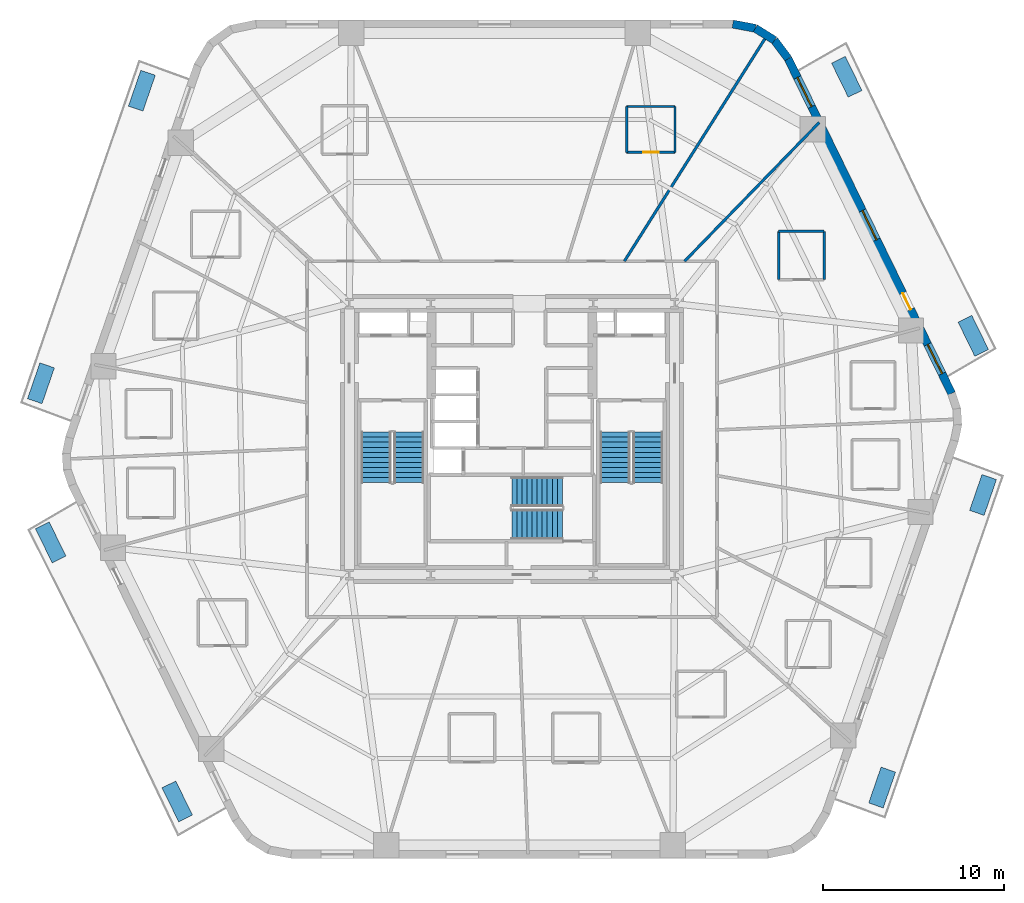
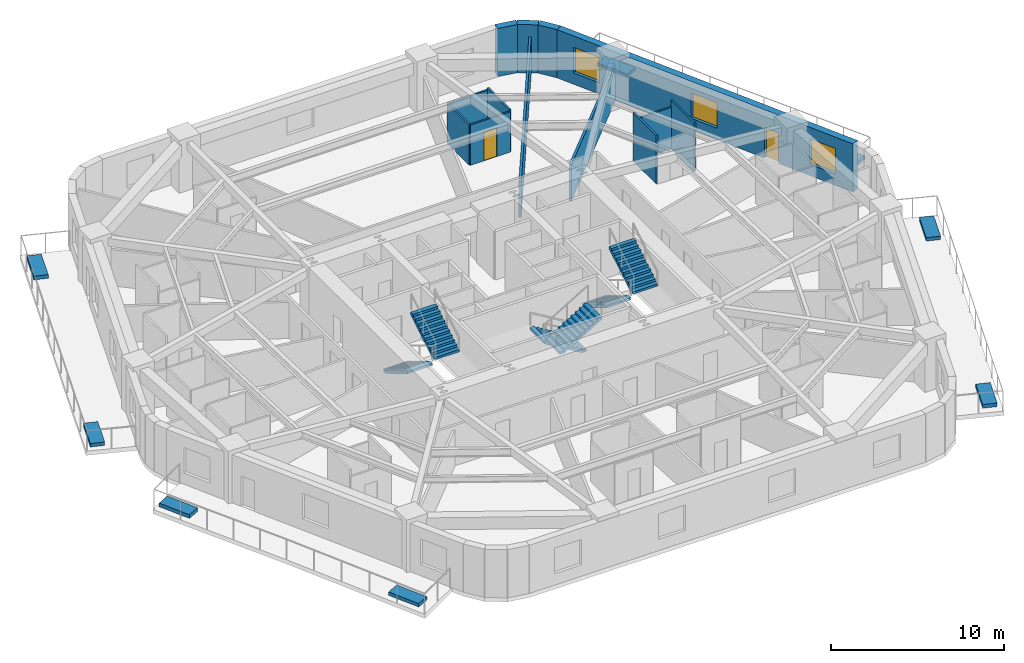
# One storey, part 7 of 10: 13 walls, 8 discrete accessories, 6 stair flights, 3 windows, 2 doors, 5 openings, 3 elements without a shape of their own.
"""IFC4 building model written with IfcOpenShell, lengths in metres."""

from ifc_helpers import new_model, si_unit, direction, frame, frame_2d, origin, origin_2d, place, context, subcontext, project, spatial, polyline, rectangle, outline, extrude, material, layer, layer_set, type_object, element, fill, aggregate, save


model = new_model("IFC4")

# Units and contexts
model_context = context("Model", 3, precision=1e-05, world=origin(), true_north=direction((0.0, 1.0)))
body_context = subcontext(model_context, "Body", "Model", "MODEL_VIEW")
ifc_project = project(units=[si_unit("LENGTHUNIT", "METRE"), si_unit("AREAUNIT", "SQUARE_METRE"), si_unit("VOLUMEUNIT", "CUBIC_METRE"), si_unit("PLANEANGLEUNIT", "RADIAN"), si_unit("MASSUNIT", "GRAM", prefix="KILO")], contexts=[model_context])

# Site, building, storey
site_placement = place(None, origin())
site = spatial("IfcSite", under=ifc_project, at=site_placement, CompositionType="ELEMENT")
building_placement = place(site_placement, origin())
building = spatial("IfcBuilding", under=site, at=building_placement, Name="Kilnhurst Terrace Hotel", CompositionType="ELEMENT")
storey_placement = place(building_placement, frame((0.0, 0.0, 45.300048828125)))
storey = spatial("IfcBuildingStorey", under=building, at=storey_placement, Name="L09", CompositionType="ELEMENT", Elevation=45.300048828125)

# Walls
ifc_material_1 = material(Name="Precast concrete C40/50", Category="concrete")
ifc_layer_1 = layer(ifc_material_1, 0.449951171875, Name="Precast concrete C40/50")
ifc_layer_set_1 = layer_set([ifc_layer_1], Name="Precast concrete C40/50")
wall_type_1 = type_object("IfcWallType", Name="WL-BRK-450", PredefinedType="SOLIDWALL", material=ifc_layer_set_1)
wall_1_placement = place(storey_placement, frame((15.28369140625, 21.0625, 0.0), z_axis=(0.0, 0.0, 1.0), x_axis=(-0.597595366449, 0.801797841104, 0.0)))
element("IfcWall", 1, at=wall_1_placement, inside=storey, type_object=wall_type_1, Name="L09 Rounded Corner Brick Wall C4.1", PredefinedType="SOLIDWALL", context=body_context, shape_type="SweptSolid", body=[
    extrude(rectangle(XDim=1.2685546875, YDim=0.449951171875, at=frame_2d((0.63427734375, 0.0))), origin(), (0.0, 0.0, 1.0), 3.39990234375),
])
wall_2_placement = place(storey_placement, frame((14.525634765625, 22.07958984375, 0.0), z_axis=(0.0, 0.0, 1.0), x_axis=(-0.848185203596, 0.529699783275, 0.0)))
element("IfcWall", 2, at=wall_2_placement, inside=storey, type_object=wall_type_1, Name="L09 Rounded Corner Brick Wall C4.2", PredefinedType="SOLIDWALL", context=body_context, shape_type="SweptSolid", body=[
    extrude(rectangle(XDim=1.247314453125, YDim=0.449951171875, at=frame_2d((0.62353515625, 0.0))), origin(), (0.0, 0.0, 1.0), 3.39990234375),
])
wall_3_placement = place(storey_placement, frame((13.4677734375, 22.740234375, 0.0), z_axis=(0.0, 0.0, 1.0), x_axis=(-0.982717174228, 0.185113358451, 0.0)))
element("IfcWall", 3, at=wall_3_placement, inside=storey, type_object=wall_type_1, Name="L09 Rounded Corner Brick Wall C4.3", PredefinedType="SOLIDWALL", context=body_context, shape_type="SweptSolid", body=[
    extrude(rectangle(XDim=1.268798828125, YDim=0.449951171875, at=frame_2d((0.63427734375, 0.0))), origin(), (0.0, 0.0, 1.0), 3.39990234375),
])

# Wall, openings, door, windows
wall_4_placement = place(storey_placement, frame((24.335693359375, 2.532470703125, 0.0), z_axis=(0.0, 0.0, 1.0), x_axis=(-0.438931326393, 0.898520612291, 0.0)))
wall_4 = element("IfcWall", 4, at=wall_4_placement, inside=storey, type_object=wall_type_1, Name="L09 Exterior Brick Facade Wall F3", PredefinedType="SOLIDWALL", context=body_context, shape_type="SweptSolid", body=[
    extrude(rectangle(XDim=20.622802734375, YDim=0.449951171875, at=frame_2d((10.3115234375, 0.0))), origin(), (0.0, 0.0, 1.0), 3.39990234375),
])
opening_1_placement = place(wall_4_placement, frame((5.1708984375, 0.0, 0.0)))
opening_1 = element("IfcOpeningElement", 5, at=opening_1_placement, cuts=wall_4, Name="Opening BD-1000", PredefinedType="OPENING", context=body_context, shape_type="SweptSolid", body=[
    extrude(rectangle(XDim=1.0, YDim=2.14990234375, at=frame_2d((0.5, 1.074951171875))), frame((0.0, 0.23486328125, 0.0), z_axis=(0.0, -1.0, 0.0), x_axis=(1.0, 0.0, 0.0)), (0.0, 0.0, 1.0), 0.469970703125),
])
opening_2_placement = place(wall_4_placement, frame((1.214111328125, 0.0, 0.800048828125)))
opening_2 = element("IfcOpeningElement", 6, at=opening_2_placement, cuts=wall_4, Name="Opening W-01", PredefinedType="OPENING", context=body_context, shape_type="SweptSolid", body=[
    extrude(rectangle(XDim=1.800048828125, YDim=1.800048828125, at=frame_2d((0.89990234375, 0.89990234375))), frame((0.0, 0.23486328125, 0.0), z_axis=(0.0, -1.0, 0.0), x_axis=(1.0, 0.0, 0.0)), (0.0, 0.0, 1.0), 0.469970703125),
])
opening_3_placement = place(wall_4_placement, frame((9.4619140625, 0.0, 0.800048828125)))
opening_3 = element("IfcOpeningElement", 7, at=opening_3_placement, cuts=wall_4, Name="Opening W-01", PredefinedType="OPENING", context=body_context, shape_type="SweptSolid", body=[
    extrude(rectangle(XDim=1.800048828125, YDim=1.800048828125, at=frame_2d((0.89990234375, 0.89990234375))), frame((0.0, 0.23486328125, 0.0), z_axis=(0.0, -1.0, 0.0), x_axis=(1.0, 0.0, 0.0)), (0.0, 0.0, 1.0), 0.469970703125),
])
opening_4_placement = place(wall_4_placement, frame((17.659912109375, 0.0, 0.800048828125)))
opening_4 = element("IfcOpeningElement", 8, at=opening_4_placement, cuts=wall_4, Name="Opening W-01", PredefinedType="OPENING", context=body_context, shape_type="SweptSolid", body=[
    extrude(rectangle(XDim=1.800048828125, YDim=1.800048828125, at=frame_2d((0.89990234375, 0.89990234375))), frame((0.0, 0.23486328125, 0.0), z_axis=(0.0, -1.0, 0.0), x_axis=(1.0, 0.0, 0.0)), (0.0, 0.0, 1.0), 0.469970703125),
])
ifc_material_2 = material(Name="Thermally Broken Bronze Aluminium Alloy 6063-T6 and Laminated Glass", Category="aluminium")
door_type_1 = type_object("IfcDoorType", Name="DR-EXT-BAL-1000", OperationType="NOTDEFINED", PredefinedType="DOOR", material=ifc_material_2)
door_1_placement = place(opening_1_placement, origin())
door_1 = element("IfcDoor", 9, at=door_1_placement, inside=storey, type_object=door_type_1, Name="L09 Planted Balcony Door BAL-L1B", OperationType="SINGLE_SWING_LEFT", OverallHeight=2.14990234375, OverallWidth=1.0, PredefinedType="DOOR", context=body_context, shape_type="SweptSolid", body=[
    extrude(rectangle(XDim=1.0, YDim=2.14990234375, at=frame_2d((0.5, 1.074951171875))), frame((0.0, 0.02490234375, 0.0), z_axis=(0.0, -1.0, 0.0), x_axis=(1.0, 0.0, 0.0)), (0.0, 0.0, 1.0), 0.050048828125),
])
fill(opening_1, door_1)
ifc_material_3 = material(Name="Thermally Broken Bronze Aluminium Alloy 6063-T6 and Low-E Glass", Category="aluminium")
window_type = type_object("IfcWindowType", Name="WIN-1800X1800", PartitioningType="SINGLE_PANEL", PredefinedType="WINDOW", material=ifc_material_3)
window_1_placement = place(opening_2_placement, origin())
window_1 = element("IfcWindow", 10, at=window_1_placement, inside=storey, type_object=window_type, Name="L09 Deep-Set Masonry Window F3.1", OverallHeight=1.800048828125, OverallWidth=1.800048828125, PartitioningType="SINGLE_PANEL", PredefinedType="WINDOW", context=body_context, shape_type="SweptSolid", body=[
    extrude(rectangle(XDim=1.800048828125, YDim=1.800048828125, at=frame_2d((0.89990234375, 0.89990234375))), frame((0.0, 0.030029296875, 0.0), z_axis=(0.0, -1.0, 0.0), x_axis=(1.0, 0.0, 0.0)), (0.0, 0.0, 1.0), 0.06005859375),
])
fill(opening_2, window_1)
window_2_placement = place(opening_3_placement, origin())
window_2 = element("IfcWindow", 11, at=window_2_placement, inside=storey, type_object=window_type, Name="L09 Deep-Set Masonry Window F3.2", OverallHeight=1.800048828125, OverallWidth=1.800048828125, PartitioningType="SINGLE_PANEL", PredefinedType="WINDOW", context=body_context, shape_type="SweptSolid", body=[
    extrude(rectangle(XDim=1.800048828125, YDim=1.800048828125, at=frame_2d((0.89990234375, 0.89990234375))), frame((0.0, 0.030029296875, 0.0), z_axis=(0.0, -1.0, 0.0), x_axis=(1.0, 0.0, 0.0)), (0.0, 0.0, 1.0), 0.06005859375),
])
fill(opening_3, window_2)
window_3_placement = place(opening_4_placement, origin())
window_3 = element("IfcWindow", 12, at=window_3_placement, inside=storey, type_object=window_type, Name="L09 Deep-Set Masonry Window F3.3", OverallHeight=1.800048828125, OverallWidth=1.800048828125, PartitioningType="SINGLE_PANEL", PredefinedType="WINDOW", context=body_context, shape_type="SweptSolid", body=[
    extrude(rectangle(XDim=1.800048828125, YDim=1.800048828125, at=frame_2d((0.89990234375, 0.89990234375))), frame((0.0, 0.030029296875, 0.0), z_axis=(0.0, -1.0, 0.0), x_axis=(1.0, 0.0, 0.0)), (0.0, 0.0, 1.0), 0.06005859375),
])
fill(opening_4, window_3)

# Walls
ifc_material_4 = material(Name="STC-58 Acoustic Twin-Frame Guestroom Demising Partition")
ifc_layer_2 = layer(ifc_material_4, 0.14990234375, Name="STC-58 Acoustic Twin-Frame Guestroom Demising Partition")
ifc_layer_set_2 = layer_set([ifc_layer_2], Name="STC-58 Acoustic Twin-Frame Guestroom Demising Partition")
wall_type_2 = type_object("IfcWallType", Name="WL-DEM-150", PredefinedType="PARTITIONING", material=ifc_layer_set_2)
wall_5_placement = place(storey_placement, frame((9.5576171875, 9.85009765625, 0.0), z_axis=(0.0, 0.0, 1.0), x_axis=(0.69638346089, 0.717669893056, 0.0)))
element("IfcWall", 13, at=wall_5_placement, inside=storey, type_object=wall_type_2, Name="L09 Interior Wall WL-L09-DEM-COL02-03-1", PredefinedType="PARTITIONING", context=body_context, shape_type="SweptSolid", body=[
    extrude(rectangle(XDim=10.700927734375, YDim=0.14990234375, at=frame_2d((5.3505859375, 0.0))), origin(), (0.0, 0.0, 1.0), 2.5400390625),
])
wall_6_placement = place(storey_placement, frame((6.222412109375, 9.85009765625, 0.0), z_axis=(0.0, 0.0, 1.0), x_axis=(0.534069056435, 0.845440857162, 0.0)))
element("IfcWall", 14, at=wall_6_placement, inside=storey, type_object=wall_type_2, Name="L09 Interior Wall WL-L09-DEM-MID02-04-1", PredefinedType="PARTITIONING", context=body_context, shape_type="SweptSolid", body=[
    extrude(rectangle(XDim=14.611328125, YDim=0.14990234375, at=frame_2d((7.3056640625, 0.0))), origin(), (0.0, 0.0, 1.0), 2.5400390625),
])
ifc_material_5 = material(Name="120 mm Moisture-Resistant Tile-Backed Bathroom Partition")
ifc_layer_3 = layer(ifc_material_5, 0.1201171875, Name="120 mm Moisture-Resistant Tile-Backed Bathroom Partition")
ifc_layer_set_3 = layer_set([ifc_layer_3], Name="120 mm Moisture-Resistant Tile-Backed Bathroom Partition")
wall_type_3 = type_object("IfcWallType", Name="WL-PART-120", PredefinedType="PARTITIONING", material=ifc_layer_set_3)
wall_7_placement = place(storey_placement, frame((17.283935546875, 8.824951171875, 0.0), z_axis=(0.0, 0.0, 1.0), x_axis=(0.0, 1.0, 0.0)))
element("IfcWall", 15, at=wall_7_placement, inside=storey, type_object=wall_type_3, Name="L09 Interior Wall WL-L09-BTH-02-2", PredefinedType="PARTITIONING", context=body_context, shape_type="SweptSolid", body=[
    extrude(rectangle(XDim=2.679931640625, YDim=0.1201171875, at=frame_2d((1.33984375, 0.0))), origin(), (0.0, 0.0, 1.0), 3.39990234375),
])
wall_8_placement = place(storey_placement, frame((17.283935546875, 11.5048828125, 0.0), z_axis=(0.0, 0.0, 1.0), x_axis=(-1.0, 0.0, 0.0)))
element("IfcWall", 16, at=wall_8_placement, inside=storey, type_object=wall_type_3, Name="L09 Interior Wall WL-L09-BTH-02-3", PredefinedType="PARTITIONING", context=body_context, shape_type="SweptSolid", body=[
    extrude(rectangle(XDim=2.52001953125, YDim=0.1201171875, at=frame_2d((1.260009765625, 0.0))), origin(), (0.0, 0.0, 1.0), 2.926513671875),
])
wall_9_placement = place(storey_placement, frame((14.763916015625, 11.5048828125, 0.0), z_axis=(0.0, 0.0, 1.0), x_axis=(0.0, -1.0, 0.0)))
element("IfcWall", 17, at=wall_9_placement, inside=storey, type_object=wall_type_3, Name="L09 Interior Wall WL-L09-BTH-02-4", PredefinedType="PARTITIONING", context=body_context, shape_type="SweptSolid", body=[
    extrude(rectangle(XDim=2.679931640625, YDim=0.1201171875, at=frame_2d((1.33984375, 0.0))), origin(), (0.0, 0.0, 1.0), 3.39990234375),
])

# Wall, opening, door
wall_10_placement = place(storey_placement, frame((6.35107421875, 15.876953125, 0.0), z_axis=(0.0, 0.0, 1.0), x_axis=(1.0, 0.0, 0.0)))
wall_10 = element("IfcWall", 18, at=wall_10_placement, inside=storey, type_object=wall_type_3, Name="L09 Interior Wall WL-L09-BTH-04-1", PredefinedType="PARTITIONING", context=body_context, shape_type="SweptSolid", body=[
    extrude(rectangle(XDim=2.679931640625, YDim=0.1201171875, at=frame_2d((1.33984375, 0.0))), origin(), (0.0, 0.0, 1.0), 2.83984375),
])
opening_5_placement = place(wall_10_placement, frame((0.9150390625, 0.0, 0.0)))
opening_5 = element("IfcOpeningElement", 19, at=opening_5_placement, cuts=wall_10, Name="Opening D-08A", PredefinedType="OPENING", context=body_context, shape_type="SweptSolid", body=[
    extrude(rectangle(XDim=0.85009765625, YDim=2.030029296875, at=frame_2d((0.425048828125, 1.01513671875))), frame((0.0, 0.070068359375, 0.0), z_axis=(0.0, -1.0, 0.0), x_axis=(1.0, 0.0, 0.0)), (0.0, 0.0, 1.0), 0.14013671875),
])
ifc_material_6 = material(Name="Moisture-Resistant Lacquered En-suite Bathroom Door")
door_type_2 = type_object("IfcDoorType", Name="DR-INT-850", OperationType="NOTDEFINED", PredefinedType="DOOR", material=ifc_material_6)
door_2_placement = place(opening_5_placement, origin())
door_2 = element("IfcDoor", 20, at=door_2_placement, inside=storey, type_object=door_type_2, Name="L09 En-suite Bathroom Door 4", OperationType="SINGLE_SWING_LEFT", OverallHeight=2.030029296875, OverallWidth=0.85009765625, PredefinedType="DOOR", context=body_context, shape_type="SweptSolid", body=[
    extrude(rectangle(XDim=0.85009765625, YDim=2.030029296875, at=frame_2d((0.425048828125, 1.01513671875))), frame((0.0, 0.02490234375, 0.0), z_axis=(0.0, -1.0, 0.0), x_axis=(1.0, 0.0, 0.0)), (0.0, 0.0, 1.0), 0.050048828125),
])
fill(opening_5, door_2)

# Walls
wall_11_placement = place(storey_placement, frame((9.031005859375, 15.876953125, 0.0), z_axis=(0.0, 0.0, 1.0), x_axis=(0.0, 1.0, 0.0)))
element("IfcWall", 21, at=wall_11_placement, inside=storey, type_object=wall_type_3, Name="L09 Interior Wall WL-L09-BTH-04-2", PredefinedType="PARTITIONING", context=body_context, shape_type="SweptSolid", body=[
    extrude(rectangle(XDim=2.5400390625, YDim=0.1201171875, at=frame_2d((1.27001953125, 0.0))), origin(), (0.0, 0.0, 1.0), 2.972412109375),
])
wall_12_placement = place(storey_placement, frame((9.031005859375, 18.4169921875, 0.0), z_axis=(0.0, 0.0, 1.0), x_axis=(-1.0, 0.0, 0.0)))
element("IfcWall", 22, at=wall_12_placement, inside=storey, type_object=wall_type_3, Name="L09 Interior Wall WL-L09-BTH-04-3", PredefinedType="PARTITIONING", context=body_context, shape_type="SweptSolid", body=[
    extrude(rectangle(XDim=2.679931640625, YDim=0.1201171875, at=frame_2d((1.33984375, 0.0))), origin(), (0.0, 0.0, 1.0), 2.83984375),
])
wall_13_placement = place(storey_placement, frame((6.35107421875, 18.4169921875, 0.0), z_axis=(0.0, 0.0, 1.0), x_axis=(0.0, -1.0, 0.0)))
element("IfcWall", 23, at=wall_13_placement, inside=storey, type_object=wall_type_3, Name="L09 Interior Wall WL-L09-BTH-04-4", PredefinedType="PARTITIONING", context=body_context, shape_type="SweptSolid", body=[
    extrude(rectangle(XDim=2.5400390625, YDim=0.1201171875, at=frame_2d((1.27001953125, 0.0))), origin(), (0.0, 0.0, 1.0), 2.84033203125),
])

# Stair, stair flights
ifc_material_7 = material(Name="Concrete C50/60", Category="concrete")
stair_type = type_object("IfcStairType", Name="STR-CORE-1660", PredefinedType="HALF_TURN_STAIR", material=ifc_material_7)
stair_1_placement = place(storey_placement, origin())
stair_1 = element("IfcStair", 24, at=stair_1_placement, inside=storey, type_object=stair_type, Name="L09 ST-1", PredefinedType="HALF_TURN_STAIR")
stair_flight_type = type_object("IfcStairFlightType", Name="FLT-RC-1660", PredefinedType="STRAIGHT", material=ifc_material_7)
stair_flight_1_placement = place(storey_placement, frame((-7.52001953125, 0.389892578125, 0.0), z_axis=(0.0, 0.0, 1.0), x_axis=(0.0, -1.0, 0.0)))
stair_flight_1 = element("IfcStairFlight", 25, at=stair_flight_1_placement, type_object=stair_flight_type, Name="ST-1 flight 1", NumberOfRisers=11, NumberOfTreads=10, PredefinedType="STRAIGHT", RiserHeight=0.168181818, TreadLength=0.28, context=body_context, shape_type="SweptSolid", body=[
    extrude(outline(polyline([(0.0, 0.0), (0.0, 0.168212890625), (0.280029296875, 0.168212890625), (0.280029296875, 0.33642578125), (0.56005859375, 0.33642578125), (0.56005859375, 0.504638671875), (0.840087890625, 0.504638671875), (0.840087890625, 0.672607421875), (1.1201171875, 0.672607421875), (1.1201171875, 0.8408203125), (1.39990234375, 0.8408203125), (1.39990234375, 1.009033203125), (1.679931640625, 1.009033203125), (1.679931640625, 1.17724609375), (1.9599609375, 1.17724609375), (1.9599609375, 1.345458984375), (2.239990234375, 1.345458984375), (2.239990234375, 1.513671875), (2.52001953125, 1.513671875), (2.52001953125, 1.681884765625), (2.800048828125, 1.681884765625), (2.800048828125, 1.85009765625), (2.800048828125, 1.5068359375), (0.291015625, 0.0), (0.0, 0.0)])), frame((0.0, 0.830078125, 0.0), z_axis=(0.0, -1.0, 0.0), x_axis=(1.0, 0.0, 0.0)), (0.0, 0.0, 1.0), 1.659912109375),
])
stair_flight_2_placement = place(storey_placement, frame((-5.7099609375, -2.409912109375, 1.849853515625), z_axis=(0.0, 0.0, 1.0), x_axis=(0.0, 1.0, 0.0)))
stair_flight_2 = element("IfcStairFlight", 26, at=stair_flight_2_placement, type_object=stair_flight_type, Name="ST-1 flight 2", NumberOfRisers=11, NumberOfTreads=10, PredefinedType="STRAIGHT", RiserHeight=0.168181818, TreadLength=0.28, context=body_context, shape_type="SweptSolid", body=[
    extrude(outline(polyline([(0.0, 0.0), (0.0, 0.168212890625), (0.280029296875, 0.168212890625), (0.280029296875, 0.33642578125), (0.56005859375, 0.33642578125), (0.56005859375, 0.504638671875), (0.840087890625, 0.504638671875), (0.840087890625, 0.672607421875), (1.1201171875, 0.672607421875), (1.1201171875, 0.8408203125), (1.39990234375, 0.8408203125), (1.39990234375, 1.009033203125), (1.679931640625, 1.009033203125), (1.679931640625, 1.17724609375), (1.9599609375, 1.17724609375), (1.9599609375, 1.345458984375), (2.239990234375, 1.345458984375), (2.239990234375, 1.513671875), (2.52001953125, 1.513671875), (2.52001953125, 1.681884765625), (2.800048828125, 1.681884765625), (2.800048828125, 1.85009765625), (2.800048828125, 1.5068359375), (0.291015625, 0.0), (0.0, 0.0)])), frame((0.0, 0.830078125, 0.0), z_axis=(0.0, -1.0, 0.0), x_axis=(1.0, 0.0, 0.0)), (0.0, 0.0, 1.0), 1.659912109375),
])
aggregate(stair_1, [stair_flight_1, stair_flight_2])

stair_2_placement = place(storey_placement, origin())
stair_2 = element("IfcStair", 27, at=stair_2_placement, inside=storey, type_object=stair_type, Name="L09 ST-2", PredefinedType="HALF_TURN_STAIR")
stair_flight_3_placement = place(storey_placement, frame((5.7099609375, 0.389892578125, 0.0), z_axis=(0.0, 0.0, 1.0), x_axis=(0.0, -1.0, 0.0)))
stair_flight_3 = element("IfcStairFlight", 28, at=stair_flight_3_placement, type_object=stair_flight_type, Name="ST-2 flight 1", NumberOfRisers=11, NumberOfTreads=10, PredefinedType="STRAIGHT", RiserHeight=0.168181818, TreadLength=0.28, context=body_context, shape_type="SweptSolid", body=[
    extrude(outline(polyline([(0.0, 0.0), (0.0, 0.168212890625), (0.280029296875, 0.168212890625), (0.280029296875, 0.33642578125), (0.56005859375, 0.33642578125), (0.56005859375, 0.504638671875), (0.840087890625, 0.504638671875), (0.840087890625, 0.672607421875), (1.1201171875, 0.672607421875), (1.1201171875, 0.8408203125), (1.39990234375, 0.8408203125), (1.39990234375, 1.009033203125), (1.679931640625, 1.009033203125), (1.679931640625, 1.17724609375), (1.9599609375, 1.17724609375), (1.9599609375, 1.345458984375), (2.239990234375, 1.345458984375), (2.239990234375, 1.513671875), (2.52001953125, 1.513671875), (2.52001953125, 1.681884765625), (2.800048828125, 1.681884765625), (2.800048828125, 1.85009765625), (2.800048828125, 1.5068359375), (0.291015625, 0.0), (0.0, 0.0)])), frame((0.0, 0.830078125, 0.0), z_axis=(0.0, -1.0, 0.0), x_axis=(1.0, 0.0, 0.0)), (0.0, 0.0, 1.0), 1.659912109375),
])
stair_flight_4_placement = place(storey_placement, frame((7.52001953125, -2.409912109375, 1.849853515625), z_axis=(0.0, 0.0, 1.0), x_axis=(0.0, 1.0, 0.0)))
stair_flight_4 = element("IfcStairFlight", 29, at=stair_flight_4_placement, type_object=stair_flight_type, Name="ST-2 flight 2", NumberOfRisers=11, NumberOfTreads=10, PredefinedType="STRAIGHT", RiserHeight=0.168181818, TreadLength=0.28, context=body_context, shape_type="SweptSolid", body=[
    extrude(outline(polyline([(0.0, 0.0), (0.0, 0.168212890625), (0.280029296875, 0.168212890625), (0.280029296875, 0.33642578125), (0.56005859375, 0.33642578125), (0.56005859375, 0.504638671875), (0.840087890625, 0.504638671875), (0.840087890625, 0.672607421875), (1.1201171875, 0.672607421875), (1.1201171875, 0.8408203125), (1.39990234375, 0.8408203125), (1.39990234375, 1.009033203125), (1.679931640625, 1.009033203125), (1.679931640625, 1.17724609375), (1.9599609375, 1.17724609375), (1.9599609375, 1.345458984375), (2.239990234375, 1.345458984375), (2.239990234375, 1.513671875), (2.52001953125, 1.513671875), (2.52001953125, 1.681884765625), (2.800048828125, 1.681884765625), (2.800048828125, 1.85009765625), (2.800048828125, 1.5068359375), (0.291015625, 0.0), (0.0, 0.0)])), frame((0.0, 0.830078125, 0.0), z_axis=(0.0, -1.0, 0.0), x_axis=(1.0, 0.0, 0.0)), (0.0, 0.0, 1.0), 1.659912109375),
])
aggregate(stair_2, [stair_flight_3, stair_flight_4])

stair_3_placement = place(storey_placement, origin())
stair_3 = element("IfcStair", 30, at=stair_3_placement, inside=storey, type_object=stair_type, Name="L09 ST-3", PredefinedType="HALF_TURN_STAIR")
stair_flight_5_placement = place(storey_placement, frame((2.7900390625, -2.909912109375, 0.0), z_axis=(0.0, 0.0, 1.0), x_axis=(-1.0, 0.0, 0.0)))
stair_flight_5 = element("IfcStairFlight", 31, at=stair_flight_5_placement, type_object=stair_flight_type, Name="ST-3 flight 1", NumberOfRisers=11, NumberOfTreads=10, PredefinedType="STRAIGHT", RiserHeight=0.168181818, TreadLength=0.28, context=body_context, shape_type="SweptSolid", body=[
    extrude(outline(polyline([(0.0, 0.0), (0.0, 0.168212890625), (0.280029296875, 0.168212890625), (0.280029296875, 0.33642578125), (0.56005859375, 0.33642578125), (0.56005859375, 0.504638671875), (0.840087890625, 0.504638671875), (0.840087890625, 0.672607421875), (1.1201171875, 0.672607421875), (1.1201171875, 0.8408203125), (1.39990234375, 0.8408203125), (1.39990234375, 1.009033203125), (1.679931640625, 1.009033203125), (1.679931640625, 1.17724609375), (1.9599609375, 1.17724609375), (1.9599609375, 1.345458984375), (2.239990234375, 1.345458984375), (2.239990234375, 1.513671875), (2.52001953125, 1.513671875), (2.52001953125, 1.681884765625), (2.800048828125, 1.681884765625), (2.800048828125, 1.85009765625), (2.800048828125, 1.5068359375), (0.291015625, 0.0), (0.0, 0.0)])), frame((0.0, 0.830078125, 0.0), z_axis=(0.0, -1.0, 0.0), x_axis=(1.0, 0.0, 0.0)), (0.0, 0.0, 1.0), 1.659912109375),
])
stair_flight_6_placement = place(storey_placement, frame((-0.010009765625, -4.719970703125, 1.849853515625), z_axis=(0.0, 0.0, 1.0), x_axis=(1.0, 0.0, 0.0)))
stair_flight_6 = element("IfcStairFlight", 32, at=stair_flight_6_placement, type_object=stair_flight_type, Name="ST-3 flight 2", NumberOfRisers=11, NumberOfTreads=10, PredefinedType="STRAIGHT", RiserHeight=0.168181818, TreadLength=0.28, context=body_context, shape_type="SweptSolid", body=[
    extrude(outline(polyline([(0.0, 0.0), (0.0, 0.168212890625), (0.280029296875, 0.168212890625), (0.280029296875, 0.33642578125), (0.56005859375, 0.33642578125), (0.56005859375, 0.504638671875), (0.840087890625, 0.504638671875), (0.840087890625, 0.672607421875), (1.1201171875, 0.672607421875), (1.1201171875, 0.8408203125), (1.39990234375, 0.8408203125), (1.39990234375, 1.009033203125), (1.679931640625, 1.009033203125), (1.679931640625, 1.17724609375), (1.9599609375, 1.17724609375), (1.9599609375, 1.345458984375), (2.239990234375, 1.345458984375), (2.239990234375, 1.513671875), (2.52001953125, 1.513671875), (2.52001953125, 1.681884765625), (2.800048828125, 1.681884765625), (2.800048828125, 1.85009765625), (2.800048828125, 1.5068359375), (0.291015625, 0.0), (0.0, 0.0)])), frame((0.0, 0.830078125, 0.0), z_axis=(0.0, -1.0, 0.0), x_axis=(1.0, 0.0, 0.0)), (0.0, 0.0, 1.0), 1.659912109375),
])
aggregate(stair_3, [stair_flight_5, stair_flight_6])

# Discrete accessories
ifc_material_8 = material(Name="Precast Concrete C40/50 Shrub Planter", Category="concrete")
discrete_accessory_type_1 = type_object("IfcDiscreteAccessoryType", Name="PLN-SHRUB-240", PredefinedType="USERDEFINED", material=ifc_material_8)
for number, where, z_axis, x_axis, name in (
    (33, (26.073486328125, -3.09130859375, 0.0), (0.0, 0.0, 1.0), (0.326063182175, 0.94534797891, 0.0), "L09 Structural Tree Planter Box PLANTER BAL-L1A.2"),
    (34, (18.52978515625, 20.05615234375, 0.0), (0.0, 0.0, 1.0), (-0.438935789176, 0.898518432188, 0.0), "L09 Structural Tree Planter Box PLANTER BAL-L1B.2"),
    (35, (-26.073486328125, 3.09130859375, 0.0), (0.0, 0.0, 1.0), (-0.326063182175, -0.94534797891, 0.0), "L09 Structural Tree Planter Box PLANTER BAL-L2A.2"),
    (36, (-18.52978515625, -20.05615234375, 0.0), (0.0, 0.0, 1.0), (0.438935789176, -0.898518432188, 0.0), "L09 Structural Tree Planter Box PLANTER BAL-L2B.2"),
):
    element("IfcDiscreteAccessory", number, at=place(storey_placement, frame(where, z_axis=z_axis, x_axis=x_axis)), inside=storey, type_object=discrete_accessory_type_1, Name=name, ObjectType="PLANTER", PredefinedType="USERDEFINED", context=body_context, shape_type="SweptSolid", body=[
        extrude(rectangle(XDim=2.10009765625, YDim=0.85009765625, at=origin_2d()), origin(), (0.0, 0.0, 1.0), 0.239990234375),
    ])
ifc_material_9 = material(Name="Precast Concrete C40/50 Tree Planter", Category="concrete")
discrete_accessory_type_2 = type_object("IfcDiscreteAccessoryType", Name="PLN-TREE-260", PredefinedType="USERDEFINED", material=ifc_material_9)
for number, where, z_axis, x_axis, name in (
    (37, (20.488037109375, -19.285888671875, 0.0), (0.0, 0.0, 1.0), (0.326063182175, 0.94534797891, 0.0), "L09 Structural Tree Planter Box PLANTER BAL-L1A.1"),
    (38, (25.534423828125, 5.717041015625, 0.0), (0.0, 0.0, 1.0), (-0.438935789176, 0.898518432188, 0.0), "L09 Structural Tree Planter Box PLANTER BAL-L1B.1"),
    (39, (-20.488037109375, 19.285888671875, 0.0), (0.0, 0.0, 1.0), (-0.326063182175, -0.94534797891, 0.0), "L09 Structural Tree Planter Box PLANTER BAL-L2A.1"),
    (40, (-25.534423828125, -5.717041015625, 0.0), (0.0, 0.0, 1.0), (0.438935789176, -0.898518432188, 0.0), "L09 Structural Tree Planter Box PLANTER BAL-L2B.1"),
):
    element("IfcDiscreteAccessory", number, at=place(storey_placement, frame(where, z_axis=z_axis, x_axis=x_axis)), inside=storey, type_object=discrete_accessory_type_2, Name=name, ObjectType="PLANTER", PredefinedType="USERDEFINED", context=body_context, shape_type="SweptSolid", body=[
        extrude(rectangle(XDim=2.10009765625, YDim=0.85009765625, at=origin_2d()), origin(), (0.0, 0.0, 1.0), 0.260009765625),
    ])

save(model, "model.ifc")
